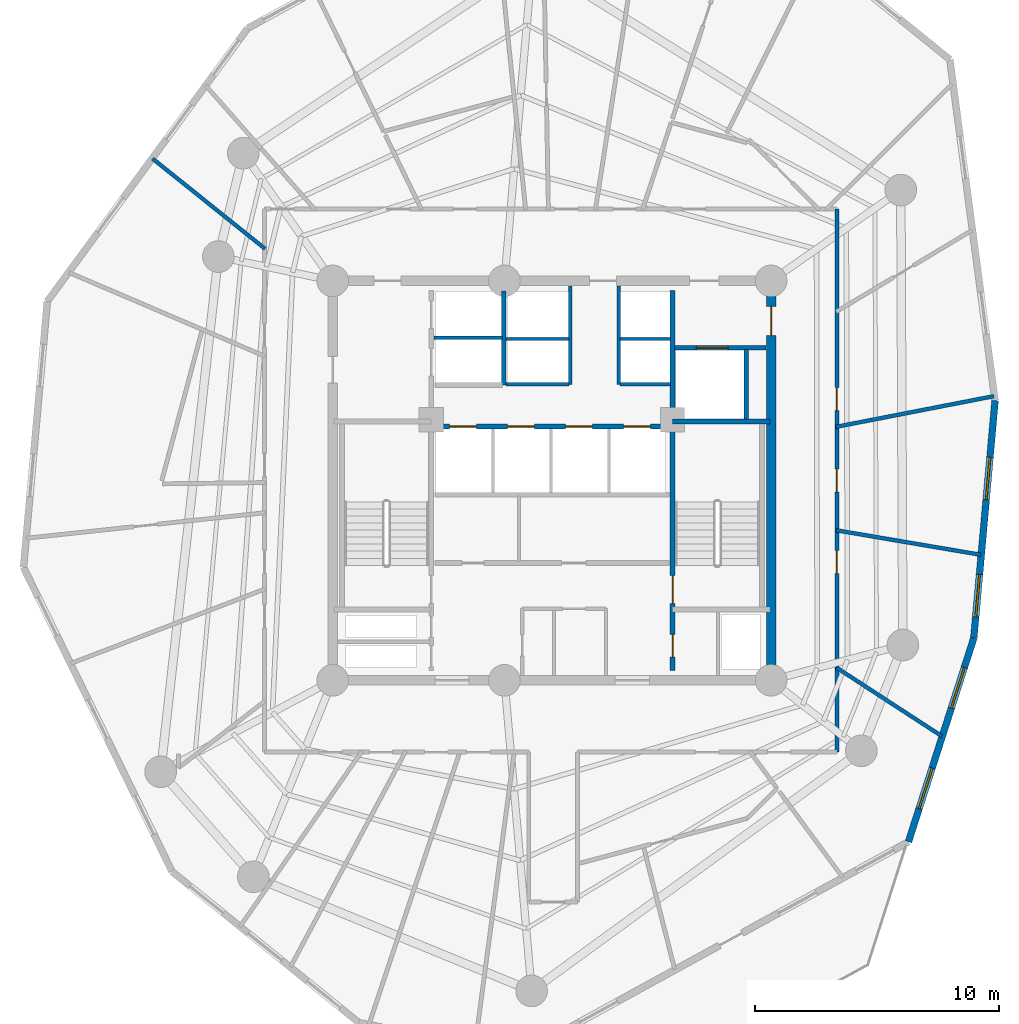
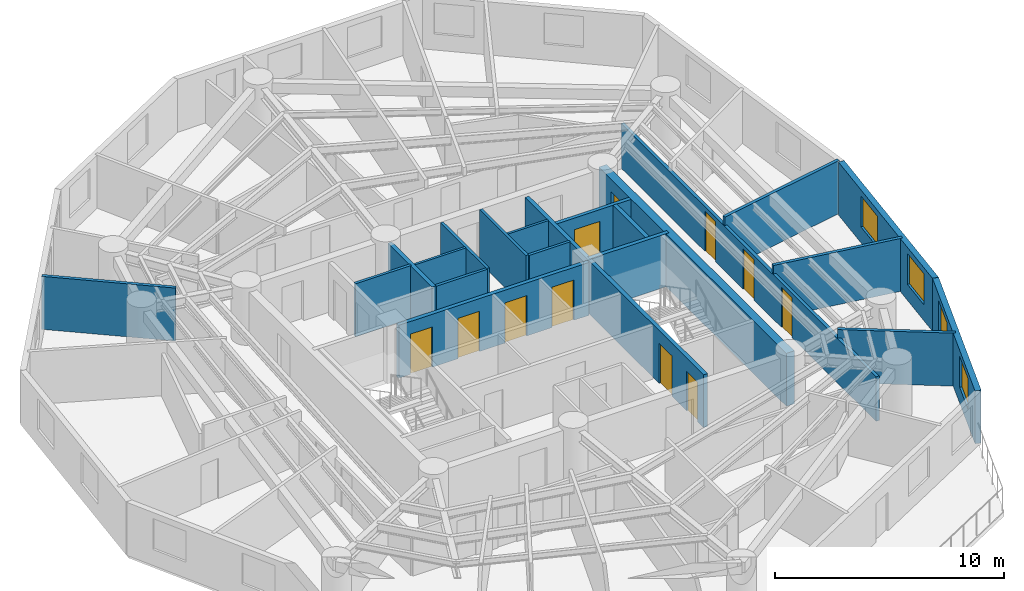
# One storey, part 5 of 8: 21 walls, 11 doors, 4 windows, 15 openings.
"""IFC4 building model written with IfcOpenShell, lengths in metres."""

from ifc_helpers import new_model, si_unit, direction, frame, frame_2d, origin, origin_with_axes, place, context, subcontext, project, spatial, rectangle, extrude, source, transform, mapped, material, layer, layer_set, type_object, element, fill, save


model = new_model("IFC4")

# Units and contexts
model_context = context("Model", 3, precision=1e-05, world=origin(), true_north=direction((0.0, 1.0)))
body_context = subcontext(model_context, "Body", "Model", "MODEL_VIEW")
ifc_project = project(units=[si_unit("LENGTHUNIT", "METRE"), si_unit("AREAUNIT", "SQUARE_METRE"), si_unit("VOLUMEUNIT", "CUBIC_METRE"), si_unit("PLANEANGLEUNIT", "RADIAN"), si_unit("MASSUNIT", "GRAM", prefix="KILO")], contexts=[model_context])

# Site, building, storey
site_placement = place(None, origin())
site = spatial("IfcSite", under=ifc_project, at=site_placement, CompositionType="ELEMENT")
building_placement = place(site_placement, origin())
building = spatial("IfcBuilding", under=site, at=building_placement, Name="Karkom Vertical University and Central Library", CompositionType="ELEMENT")
storey_placement = place(building_placement, frame((0.0, 0.0, 174.85009765625)))
storey = spatial("IfcBuildingStorey", under=building, at=storey_placement, Name="L50", CompositionType="ELEMENT", Elevation=174.85009765625)

# Wall, openings, windows
ifc_material_1 = material(Name="Brick-faced precast concrete C45/55", Category="masonry")
ifc_layer_1 = layer(ifc_material_1, 0.280029296875)
ifc_layer_set_1 = layer_set([ifc_layer_1], Name="Brick-faced precast concrete C45/55")
wall_type_1 = type_object("IfcWallType", Name="ENV-WL-BRK-280", PredefinedType="SOLIDWALL", material=ifc_layer_set_1)
wall_1_placement = place(storey_placement, frame((43.1416015625, 11.66943359375, 0.0), z_axis=(0.0, 0.0, 1.0), x_axis=(0.305307233787, 0.95225390154, 0.0)))
wall_1 = element("IfcWall", 1, at=wall_1_placement, inside=storey, type_object=wall_type_1, Name="Level 50 Brick-Faced Precast Facade Wall 05", PredefinedType="SOLIDWALL", context=body_context, shape_type="SweptSolid", body=[
    extrude(rectangle(XDim=8.78271484375, YDim=0.280029296875, at=frame_2d((4.391357421875, 0.0))), origin(), (0.0, 0.0, 1.0), 2.824951171875),
])
opening_1_placement = place(wall_1_placement, frame((1.433837890625, 0.0, 0.85009765625)))
opening_1 = element("IfcOpeningElement", 2, at=opening_1_placement, cuts=wall_1, Name="Opening WN-08", PredefinedType="OPENING", context=body_context, shape_type="SweptSolid", body=[
    extrude(rectangle(XDim=1.75, YDim=1.64990234375, at=frame_2d((0.875, 0.824951171875))), frame((0.0, 0.14990234375, 0.0), z_axis=(0.0, -1.0, 0.0), x_axis=(1.0, 0.0, 0.0)), (0.0, 0.0, 1.0), 0.300048828125),
])
opening_2_placement = place(wall_1_placement, frame((5.76513671875, 0.0, 0.85009765625)))
opening_2 = element("IfcOpeningElement", 3, at=opening_2_placement, cuts=wall_1, Name="Opening WN-08", PredefinedType="OPENING", context=body_context, shape_type="SweptSolid", body=[
    extrude(rectangle(XDim=1.75, YDim=1.64990234375, at=frame_2d((0.875, 0.824951171875))), frame((0.0, 0.14990234375, 0.0), z_axis=(0.0, -1.0, 0.0), x_axis=(1.0, 0.0, 0.0)), (0.0, 0.0, 1.0), 0.300048828125),
])
ifc_material_2 = material(Name="Aluminium thermal-break frame with solar-control IGU", Category="aluminium")
window_type = type_object("IfcWindowType", Name="ENV-WIN-WN-08", PartitioningType="SINGLE_PANEL", PredefinedType="WINDOW", material=ifc_material_2)
shared_shape_1 = source(origin_with_axes(), body_context, "Body", "SweptSolid", [
    extrude(rectangle(XDim=1.75, YDim=1.64990234375, at=frame_2d((0.875, 0.824951171875))), frame((0.0, 0.030029296875, 0.0), z_axis=(0.0, -1.0, 0.0), x_axis=(1.0, 0.0, 0.0)), (0.0, 0.0, 1.0), 0.06005859375),
])
window_1_placement = place(opening_1_placement, origin())
window_1 = element("IfcWindow", 4, at=window_1_placement, inside=storey, type_object=window_type, Name="Level 50 Punched Window 5.1", OverallHeight=1.64990234375, OverallWidth=1.75, PartitioningType="SINGLE_PANEL", PredefinedType="WINDOW", context=body_context, shape_type="MappedRepresentation", body=[
    mapped(shared_shape_1, transform((0.0, 0.0, 0.0), scale=1.0)),
])
fill(opening_1, window_1)
window_2_placement = place(opening_2_placement, origin())
window_2 = element("IfcWindow", 5, at=window_2_placement, inside=storey, type_object=window_type, Name="Level 50 Punched Window 5.2", OverallHeight=1.64990234375, OverallWidth=1.75, PartitioningType="SINGLE_PANEL", PredefinedType="WINDOW", context=body_context, shape_type="MappedRepresentation", body=[
    mapped(shared_shape_1, transform((0.0, 0.0, 0.0), scale=1.0)),
])
fill(opening_2, window_2)

wall_2_placement = place(storey_placement, frame((45.822998046875, 20.03271484375, 0.0), z_axis=(0.0, 0.0, 1.0), x_axis=(0.089242924974, 0.996009889681, 0.0)))
wall_2 = element("IfcWall", 6, at=wall_2_placement, inside=storey, type_object=wall_type_1, Name="Level 50 Brick-Faced Precast Facade Wall 06", PredefinedType="SOLIDWALL", context=body_context, shape_type="SweptSolid", body=[
    extrude(rectangle(XDim=9.791015625, YDim=0.280029296875, at=frame_2d((4.8955078125, 0.0))), origin(), (0.0, 0.0, 1.0), 2.824951171875),
])
opening_3_placement = place(wall_2_placement, frame((0.873046875, 0.0, 0.85009765625)))
opening_3 = element("IfcOpeningElement", 7, at=opening_3_placement, cuts=wall_2, Name="Opening WN-08", PredefinedType="OPENING", context=body_context, shape_type="SweptSolid", body=[
    extrude(rectangle(XDim=1.75, YDim=1.64990234375, at=frame_2d((0.875, 0.824951171875))), frame((0.0, 0.14990234375, 0.0), z_axis=(0.0, -1.0, 0.0), x_axis=(1.0, 0.0, 0.0)), (0.0, 0.0, 1.0), 0.300048828125),
])
opening_4_placement = place(wall_2_placement, frame((5.70849609375, 0.0, 0.85009765625)))
opening_4 = element("IfcOpeningElement", 8, at=opening_4_placement, cuts=wall_2, Name="Opening WN-08", PredefinedType="OPENING", context=body_context, shape_type="SweptSolid", body=[
    extrude(rectangle(XDim=1.75, YDim=1.64990234375, at=frame_2d((0.875, 0.824951171875))), frame((0.0, 0.14990234375, 0.0), z_axis=(0.0, -1.0, 0.0), x_axis=(1.0, 0.0, 0.0)), (0.0, 0.0, 1.0), 0.300048828125),
])
window_3_placement = place(opening_3_placement, origin())
window_3 = element("IfcWindow", 9, at=window_3_placement, inside=storey, type_object=window_type, Name="Level 50 Punched Window 6.1", OverallHeight=1.64990234375, OverallWidth=1.75, PartitioningType="SINGLE_PANEL", PredefinedType="WINDOW", context=body_context, shape_type="MappedRepresentation", body=[
    mapped(shared_shape_1, transform((0.0, 0.0, 0.0), scale=1.0)),
])
fill(opening_3, window_3)
window_4_placement = place(opening_4_placement, origin())
window_4 = element("IfcWindow", 10, at=window_4_placement, inside=storey, type_object=window_type, Name="Level 50 Punched Window 6.2", OverallHeight=1.64990234375, OverallWidth=1.75, PartitioningType="SINGLE_PANEL", PredefinedType="WINDOW", context=body_context, shape_type="MappedRepresentation", body=[
    mapped(shared_shape_1, transform((0.0, 0.0, 0.0), scale=1.0)),
])
fill(opening_4, window_4)

# Wall, openings, doors
ifc_material_3 = material(Name="Insulated metal-stud drywall 160mm", Category="gypsum")
ifc_layer_2 = layer(ifc_material_3, 0.159912109375)
ifc_layer_set_2 = layer_set([ifc_layer_2], Name="Insulated metal-stud drywall 160mm")
wall_type_2 = type_object("IfcWallType", Name="INT-WL-COR-160", PredefinedType="PARTITIONING", material=ifc_layer_set_2)
wall_3_placement = place(storey_placement, frame((40.199951171875, 37.64990234375, 0.0), z_axis=(0.0, 0.0, 1.0), x_axis=(0.0, -1.0, 0.0)))
wall_3 = element("IfcWall", 11, at=wall_3_placement, inside=storey, type_object=wall_type_2, Name="Level 50 Interior Partition Wall L50-CORW-CW-004", PredefinedType="PARTITIONING", context=body_context, shape_type="SweptSolid", body=[
    extrude(rectangle(XDim=22.2998046875, YDim=0.159912109375, at=frame_2d((11.14990234375, 0.0))), origin(), (0.0, 0.0, 1.0), 2.375),
])
opening_5_placement = place(wall_3_placement, frame((14.02001953125, 0.0, 0.0)))
opening_5 = element("IfcOpeningElement", 12, at=opening_5_placement, cuts=wall_3, Name="Opening D-RM1", PredefinedType="OPENING", context=body_context, shape_type="SweptSolid", body=[
    extrude(rectangle(XDim=0.949951171875, YDim=2.14990234375, at=frame_2d((0.47509765625, 1.074951171875))), frame((0.0, 0.08984375, 0.0), z_axis=(0.0, -1.0, 0.0), x_axis=(1.0, 0.0, 0.0)), (0.0, 0.0, 1.0), 0.179931640625),
])
opening_6_placement = place(wall_3_placement, frame((10.675048828125, 0.0, 0.0)))
opening_6 = element("IfcOpeningElement", 13, at=opening_6_placement, cuts=wall_3, Name="Opening D-RM1", PredefinedType="OPENING", context=body_context, shape_type="SweptSolid", body=[
    extrude(rectangle(XDim=0.949951171875, YDim=2.14990234375, at=frame_2d((0.47509765625, 1.074951171875))), frame((0.0, 0.08984375, 0.0), z_axis=(0.0, -1.0, 0.0), x_axis=(1.0, 0.0, 0.0)), (0.0, 0.0, 1.0), 0.179931640625),
])
opening_7_placement = place(wall_3_placement, frame((7.330078125, 0.0, 0.0)))
opening_7 = element("IfcOpeningElement", 14, at=opening_7_placement, cuts=wall_3, Name="Opening D-RM1", PredefinedType="OPENING", context=body_context, shape_type="SweptSolid", body=[
    extrude(rectangle(XDim=0.949951171875, YDim=2.14990234375, at=frame_2d((0.47509765625, 1.074951171875))), frame((0.0, 0.08984375, 0.0), z_axis=(0.0, -1.0, 0.0), x_axis=(1.0, 0.0, 0.0)), (0.0, 0.0, 1.0), 0.179931640625),
])
ifc_material_4 = material(Name="Solid-core oak veneer door", Category="wood")
door_type_1 = type_object("IfcDoorType", Name="INT-DR-RM1", OperationType="NOTDEFINED", PredefinedType="DOOR", material=ifc_material_4)
shared_shape_2 = source(origin_with_axes(), body_context, "Body", "SweptSolid", [
    extrude(rectangle(XDim=0.949951171875, YDim=2.14990234375, at=frame_2d((0.47509765625, 1.074951171875))), frame((0.0, 0.02490234375, 0.0), z_axis=(0.0, -1.0, 0.0), x_axis=(1.0, 0.0, 0.0)), (0.0, 0.0, 1.0), 0.050048828125),
])
door_1_placement = place(opening_5_placement, origin())
door_1 = element("IfcDoor", 15, at=door_1_placement, inside=storey, type_object=door_type_1, Name="Level 50 Room Entry Door 100", OperationType="SINGLE_SWING_LEFT", OverallHeight=2.14990234375, OverallWidth=0.949951171875, PredefinedType="DOOR", context=body_context, shape_type="MappedRepresentation", body=[
    mapped(shared_shape_2, transform((0.0, 0.0, 0.0), scale=1.0)),
])
fill(opening_5, door_1)
door_2_placement = place(opening_6_placement, origin())
door_2 = element("IfcDoor", 16, at=door_2_placement, inside=storey, type_object=door_type_1, Name="Level 50 Room Entry Door 110", OperationType="SINGLE_SWING_RIGHT", OverallHeight=2.14990234375, OverallWidth=0.949951171875, PredefinedType="DOOR", context=body_context, shape_type="MappedRepresentation", body=[
    mapped(shared_shape_2, transform((0.0, 0.0, 0.0), scale=1.0)),
])
fill(opening_6, door_2)
door_3_placement = place(opening_7_placement, origin())
door_3 = element("IfcDoor", 17, at=door_3_placement, inside=storey, type_object=door_type_1, Name="Level 50 Room Entry Door 120", OperationType="SINGLE_SWING_LEFT", OverallHeight=2.14990234375, OverallWidth=0.949951171875, PredefinedType="DOOR", context=body_context, shape_type="MappedRepresentation", body=[
    mapped(shared_shape_2, transform((0.0, 0.0, 0.0), scale=1.0)),
])
fill(opening_7, door_3)

# Walls
wall_4_placement = place(storey_placement, frame((40.156005859375, 28.70458984375, 0.0), z_axis=(0.0, 0.0, 1.0), x_axis=(0.981629797494, 0.190795546784, 0.0)))
element("IfcWall", 18, at=wall_4_placement, inside=storey, type_object=wall_type_2, Name="Level 50 Interior Partition Wall L50-PW-018", PredefinedType="PARTITIONING", context=body_context, shape_type="SweptSolid", body=[
    extrude(rectangle(XDim=6.613037109375, YDim=0.159912109375, at=frame_2d((3.306640625, 0.0))), origin(), (0.0, 0.0, 1.0), 2.824951171875),
])
wall_5_placement = place(storey_placement, frame((40.17041015625, 24.46044921875, 0.0), z_axis=(0.0, 0.0, 1.0), x_axis=(0.985928474101, -0.167167712066, 0.0)))
element("IfcWall", 19, at=wall_5_placement, inside=storey, type_object=wall_type_2, Name="Level 50 Interior Partition Wall L50-PW-017", PredefinedType="PARTITIONING", context=body_context, shape_type="SweptSolid", body=[
    extrude(rectangle(XDim=6.0185546875, YDim=0.159912109375, at=frame_2d((3.00927734375, 0.0))), origin(), (0.0, 0.0, 1.0), 2.824951171875),
])
wall_6_placement = place(storey_placement, frame((16.723388671875, 36.0166015625, 0.0), z_axis=(0.0, 0.0, 1.0), x_axis=(-0.780288897002, 0.625419249157, 0.0)))
element("IfcWall", 20, at=wall_6_placement, inside=storey, type_object=wall_type_2, Name="Level 50 Interior Partition Wall L50-PW-036", PredefinedType="PARTITIONING", context=body_context, shape_type="SweptSolid", body=[
    extrude(rectangle(XDim=5.91796875, YDim=0.159912109375, at=frame_2d((2.958984375, 0.0))), origin(), (0.0, 0.0, 1.0), 2.824951171875),
])
wall_7_placement = place(storey_placement, frame((40.1748046875, 18.827880859375, 0.0), z_axis=(0.0, 0.0, 1.0), x_axis=(0.838056877473, -0.545582871909, 0.0)))
element("IfcWall", 21, at=wall_7_placement, inside=storey, type_object=wall_type_2, Name="Level 50 Interior Partition Wall L50-PW-016", PredefinedType="PARTITIONING", context=body_context, shape_type="SweptSolid", body=[
    extrude(rectangle(XDim=5.166259765625, YDim=0.159912109375, at=frame_2d((2.5830078125, 0.0))), origin(), (0.0, 0.0, 1.0), 2.824951171875),
])
ifc_material_5 = material(Name="Moisture-resistant drywall 120mm", Category="gypsum")
ifc_layer_3 = layer(ifc_material_5, 0.1201171875)
ifc_layer_set_3 = layer_set([ifc_layer_3], Name="Moisture-resistant drywall 120mm")
wall_type_3 = type_object("IfcWallType", Name="INT-WL-INT-120H", PredefinedType="PARTITIONING", material=ifc_layer_set_3)
wall_8_placement = place(storey_placement, frame((26.6201171875, 32.320068359375, 0.0), z_axis=(0.0, 0.0, 1.0), x_axis=(1.0, 0.0, 0.0)))
element("IfcWall", 22, at=wall_8_placement, inside=storey, type_object=wall_type_3, Name="Level 50 Interior Partition Wall L50-CW-PH-MW", PredefinedType="PARTITIONING", context=body_context, shape_type="SweptSolid", body=[
    extrude(rectangle(XDim=2.579833984375, YDim=0.1201171875, at=frame_2d((1.2900390625, 0.0))), origin(), (0.0, 0.0, 1.0), 2.824951171875),
])
wall_9_placement = place(storey_placement, frame((31.300048828125, 32.320068359375, 0.0), z_axis=(0.0, 0.0, 1.0), x_axis=(1.0, 0.0, 0.0)))
element("IfcWall", 23, at=wall_9_placement, inside=storey, type_object=wall_type_3, Name="Level 50 Interior Partition Wall L50-CW-PH-ME", PredefinedType="PARTITIONING", context=body_context, shape_type="SweptSolid", body=[
    extrude(rectangle(XDim=2.074951171875, YDim=0.1201171875, at=frame_2d((1.03759765625, 0.0))), origin(), (0.0, 0.0, 1.0), 2.824951171875),
])
ifc_material_6 = material(Name="Metal-stud gypsum partition 140mm", Category="gypsum")
ifc_layer_4 = layer(ifc_material_6, 0.139892578125)
ifc_layer_set_4 = layer_set([ifc_layer_4], Name="Metal-stud gypsum partition 140mm")
wall_type_4 = type_object("IfcWallType", Name="INT-WL-SUB-140H", PredefinedType="PARTITIONING", material=ifc_layer_set_4)
for number, where, z_axis, x_axis, name in (
    (24, (29.260009765625, 30.449951171875, 0.0), (0.0, 0.0, 1.0), (0.0, 1.0, 0.0), "Level 50 Interior Partition Wall L50-CW-PH-W"),
    (25, (31.239990234375, 30.449951171875, 0.0), (0.0, 0.0, 1.0), (0.0, 1.0, 0.0), "Level 50 Interior Partition Wall L50-CW-PH-E"),
):
    element("IfcWall", number, at=place(storey_placement, frame(where, z_axis=z_axis, x_axis=x_axis)), inside=storey, type_object=wall_type_4, Name=name, PredefinedType="PARTITIONING", context=body_context, shape_type="SweptSolid", body=[
        extrude(rectangle(XDim=4.04296875, YDim=0.139892578125, at=frame_2d((2.021484375, 0.0))), origin(), (0.0, 0.0, 1.0), 2.824951171875),
    ])
wall_10_placement = place(storey_placement, frame((26.6201171875, 30.449951171875, 0.0), z_axis=(0.0, 0.0, 1.0), x_axis=(1.0, 0.0, 0.0)))
element("IfcWall", 26, at=wall_10_placement, inside=storey, type_object=wall_type_4, Name="Level 50 Interior Partition Wall L50-CW-PH-S1", PredefinedType="PARTITIONING", context=body_context, shape_type="SweptSolid", body=[
    extrude(rectangle(XDim=2.579833984375, YDim=0.139892578125, at=frame_2d((1.2900390625, 0.0))), origin(), (0.0, 0.0, 1.0), 2.824951171875),
])
wall_11_placement = place(storey_placement, frame((31.300048828125, 30.449951171875, 0.0), z_axis=(0.0, 0.0, 1.0), x_axis=(1.0, 0.0, 0.0)))
element("IfcWall", 27, at=wall_11_placement, inside=storey, type_object=wall_type_4, Name="Level 50 Interior Partition Wall L50-CW-PH-S2", PredefinedType="PARTITIONING", context=body_context, shape_type="SweptSolid", body=[
    extrude(rectangle(XDim=2.074951171875, YDim=0.139892578125, at=frame_2d((1.03759765625, 0.0))), origin(), (0.0, 0.0, 1.0), 2.824951171875),
])
ifc_layer_5 = layer(ifc_material_6, 0.139892578125)
ifc_layer_set_5 = layer_set([ifc_layer_5], Name="Metal-stud gypsum partition 140mm")
wall_type_5 = type_object("IfcWallType", Name="INT-WL-SUB-140X", PredefinedType="PARTITIONING", material=ifc_layer_set_5)
wall_12_placement = place(storey_placement, frame((23.652099609375, 32.3701171875, 0.0), z_axis=(0.0, 0.0, 1.0), x_axis=(1.0, 0.0, 0.0)))
element("IfcWall", 28, at=wall_12_placement, inside=storey, type_object=wall_type_5, Name="Level 50 Interior Partition Wall L50-CW-FFL-M", PredefinedType="PARTITIONING", context=body_context, shape_type="SweptSolid", body=[
    extrude(rectangle(XDim=2.827880859375, YDim=0.139892578125, at=frame_2d((1.4140625, 0.0))), origin(), (0.0, 0.0, 1.0), 2.824951171875),
])

# Wall, opening, door
ifc_material_7 = material(Name="Twin-stud acoustic drywall 180mm", Category="gypsum")
ifc_layer_6 = layer(ifc_material_7, 0.179931640625)
ifc_layer_set_6 = layer_set([ifc_layer_6], Name="Twin-stud acoustic drywall 180mm")
wall_type_6 = type_object("IfcWallType", Name="INT-WL-TEN-180F", PredefinedType="PARTITIONING", material=ifc_layer_set_6)
wall_13_placement = place(storey_placement, frame((33.534912109375, 31.949951171875, 0.0), z_axis=(0.0, 0.0, 1.0), x_axis=(1.0, 0.0, 0.0)))
wall_13 = element("IfcWall", 29, at=wall_13_placement, inside=storey, type_object=wall_type_6, Name="Level 50 Interior Partition Wall L50-CW-SVL-N", PredefinedType="PARTITIONING", context=body_context, shape_type="SweptSolid", body=[
    extrude(rectangle(XDim=3.7587890625, YDim=0.179931640625, at=frame_2d((1.87939453125, 0.0))), origin(), (0.0, 0.0, 1.0), 2.824951171875),
])
opening_8_placement = place(wall_13_placement, frame((0.89990234375, 0.0, 0.0)))
opening_8 = element("IfcOpeningElement", 30, at=opening_8_placement, cuts=wall_13, Name="Opening LD-SV1", PredefinedType="OPENING", context=body_context, shape_type="SweptSolid", body=[
    extrude(rectangle(XDim=1.300048828125, YDim=2.199951171875, at=frame_2d((0.64990234375, 1.10009765625))), frame((0.0, 0.10009765625, 0.0), z_axis=(0.0, -1.0, 0.0), x_axis=(1.0, 0.0, 0.0)), (0.0, 0.0, 1.0), 0.199951171875),
])
ifc_material_8 = material(Name="Brushed stainless-steel landing door", Category="steel")
door_type_2 = type_object("IfcDoorType", Name="INT-DR-LD-SV1", OperationType="SLIDING_TO_LEFT", PredefinedType="DOOR", material=ifc_material_8)
shared_shape_3 = source(origin_with_axes(), body_context, "Body", "SweptSolid", [
    extrude(rectangle(XDim=1.300048828125, YDim=2.199951171875, at=frame_2d((0.64990234375, 1.10009765625))), frame((0.0, 0.02490234375, 0.0), z_axis=(0.0, -1.0, 0.0), x_axis=(1.0, 0.0, 0.0)), (0.0, 0.0, 1.0), 0.050048828125),
])
door_4_placement = place(opening_8_placement, origin())
door_4 = element("IfcDoor", 31, at=door_4_placement, inside=storey, type_object=door_type_2, Name="Level 50 Service Lift Landing Door LD-SV1", OperationType="SLIDING_TO_LEFT", OverallHeight=2.199951171875, OverallWidth=1.300048828125, PredefinedType="DOOR", context=body_context, shape_type="MappedRepresentation", body=[
    mapped(shared_shape_3, transform((0.0, 0.0, 0.0), scale=1.0)),
])
fill(opening_8, door_4)

ifc_material_9 = material(Name="Concrete C50/60", Category="concrete")
ifc_layer_7 = layer(ifc_material_9, 0.39990234375)
ifc_layer_set_7 = layer_set([ifc_layer_7], Name="Concrete C50/60")
wall_type_7 = type_object("IfcWallType", Name="STR-WL-CW-400", PredefinedType="SHEAR", material=ifc_layer_set_7)
wall_14_placement = place(storey_placement, frame((37.5, 18.300048828125, 0.0), z_axis=(0.0, 0.0, 1.0), x_axis=(0.0, 1.0, 0.0)))
wall_14 = element("IfcWall", 32, at=wall_14_placement, inside=storey, type_object=wall_type_7, Name="Level 50 Central Core Shear Wall EW", PredefinedType="SHEAR", context=body_context, shape_type="SweptSolid", body=[
    extrude(rectangle(XDim=16.39990234375, YDim=0.39990234375, at=frame_2d((8.199951171875, 0.0))), origin(), (0.0, 0.0, 1.0), 2.824951171875),
])
opening_9_placement = place(wall_14_placement, frame((14.14990234375, 0.0, 0.0)))
opening_9 = element("IfcOpeningElement", 33, at=opening_9_placement, cuts=wall_14, Name="Opening FD-SUB1", PredefinedType="OPENING", context=body_context, shape_type="SweptSolid", body=[
    extrude(rectangle(XDim=1.199951171875, YDim=2.14990234375, at=frame_2d((0.60009765625, 1.074951171875))), frame((0.0, 0.2099609375, 0.0), z_axis=(0.0, -1.0, 0.0), x_axis=(1.0, 0.0, 0.0)), (0.0, 0.0, 1.0), 0.419921875),
])
ifc_material_10 = material(Name="Painted steel fire door", Category="steel")
door_type_3 = type_object("IfcDoorType", Name="INT-DR-SUB1", OperationType="NOTDEFINED", PredefinedType="DOOR", material=ifc_material_10)
shared_shape_4 = source(origin_with_axes(), body_context, "Body", "SweptSolid", [
    extrude(rectangle(XDim=1.199951171875, YDim=2.14990234375, at=frame_2d((0.60009765625, 1.074951171875))), frame((0.0, 0.02490234375, 0.0), z_axis=(0.0, -1.0, 0.0), x_axis=(1.0, 0.0, 0.0)), (0.0, 0.0, 1.0), 0.050048828125),
])
door_5_placement = place(opening_9_placement, origin())
door_5 = element("IfcDoor", 34, at=door_5_placement, inside=storey, type_object=door_type_3, Name="Level 50 East Corridor Service Lobby Door", OperationType="SINGLE_SWING_RIGHT", OverallHeight=2.14990234375, OverallWidth=1.199951171875, PredefinedType="DOOR", context=body_context, shape_type="MappedRepresentation", body=[
    mapped(shared_shape_4, transform((0.0, 0.0, 0.0), scale=1.0)),
])
fill(opening_9, door_5)

# Wall, openings, doors
ifc_material_11 = material(Name="Concrete C45/55", Category="concrete")
ifc_layer_8 = layer(ifc_material_11, 0.199951171875)
ifc_layer_set_8 = layer_set([ifc_layer_8], Name="Concrete C45/55")
wall_type_8 = type_object("IfcWallType", Name="STR-WL-ST-200", PredefinedType="SHEAR", material=ifc_layer_set_8)
wall_15_placement = place(storey_placement, frame((33.455078125, 18.699951171875, 0.0), z_axis=(0.0, 0.0, 1.0), x_axis=(0.0, 1.0, 0.0)))
wall_15 = element("IfcWall", 35, at=wall_15_placement, inside=storey, type_object=wall_type_8, Name="Level 50 Core Shaft Wall L50-CW-ST2-W", PredefinedType="SHEAR", context=body_context, shape_type="SweptSolid", body=[
    extrude(rectangle(XDim=15.60009765625, YDim=0.199951171875, at=frame_2d((7.800048828125, 0.0))), origin(), (0.0, 0.0, 1.0), 2.824951171875),
])
opening_10_placement = place(wall_15_placement, frame((2.75, 0.0, 0.0)))
opening_10 = element("IfcOpeningElement", 36, at=opening_10_placement, cuts=wall_15, Name="Opening FD-ST1", PredefinedType="OPENING", context=body_context, shape_type="SweptSolid", body=[
    extrude(rectangle(XDim=1.14990234375, YDim=2.14990234375, at=frame_2d((0.574951171875, 1.074951171875))), frame((0.0, 0.10986328125, 0.0), z_axis=(0.0, -1.0, 0.0), x_axis=(1.0, 0.0, 0.0)), (0.0, 0.0, 1.0), 0.219970703125),
])
opening_11_placement = place(wall_15_placement, frame((0.550048828125, 0.0, 0.0)))
opening_11 = element("IfcOpeningElement", 37, at=opening_11_placement, cuts=wall_15, Name="Opening D-WC1", PredefinedType="OPENING", context=body_context, shape_type="SweptSolid", body=[
    extrude(rectangle(XDim=0.93994140625, YDim=2.10009765625, at=frame_2d((0.469970703125, 1.050048828125))), frame((0.0, 0.10986328125, 0.0), z_axis=(0.0, -1.0, 0.0), x_axis=(1.0, 0.0, 0.0)), (0.0, 0.0, 1.0), 0.219970703125),
])
ifc_material_12 = material(Name="Painted steel acoustic fire door", Category="steel")
door_type_4 = type_object("IfcDoorType", Name="INT-DR-ST1", OperationType="NOTDEFINED", PredefinedType="DOOR", material=ifc_material_12)
shared_shape_5 = source(origin_with_axes(), body_context, "Body", "SweptSolid", [
    extrude(rectangle(XDim=1.14990234375, YDim=2.14990234375, at=frame_2d((0.574951171875, 1.074951171875))), frame((0.0, 0.02490234375, 0.0), z_axis=(0.0, -1.0, 0.0), x_axis=(1.0, 0.0, 0.0)), (0.0, 0.0, 1.0), 0.050048828125),
])
door_6_placement = place(opening_10_placement, origin())
door_6 = element("IfcDoor", 38, at=door_6_placement, inside=storey, type_object=door_type_4, Name="Level 50 Stair ST-2 Fire Door", OperationType="SINGLE_SWING_LEFT", OverallHeight=2.14990234375, OverallWidth=1.14990234375, PredefinedType="DOOR", context=body_context, shape_type="MappedRepresentation", body=[
    mapped(shared_shape_5, transform((0.0, 0.0, 0.0), scale=1.0)),
])
fill(opening_10, door_6)
ifc_material_13 = material(Name="Fire-rated laminate moisture-resistant door", Category="wood")
door_type_5 = type_object("IfcDoorType", Name="INT-DR-WC1", OperationType="NOTDEFINED", PredefinedType="DOOR", material=ifc_material_13)
shared_shape_6 = source(origin_with_axes(), body_context, "Body", "SweptSolid", [
    extrude(rectangle(XDim=0.93994140625, YDim=2.10009765625, at=frame_2d((0.469970703125, 1.050048828125))), frame((0.0, 0.02490234375, 0.0), z_axis=(0.0, -1.0, 0.0), x_axis=(1.0, 0.0, 0.0)), (0.0, 0.0, 1.0), 0.050048828125),
])
door_7_placement = place(opening_11_placement, origin())
door_7 = element("IfcDoor", 39, at=door_7_placement, inside=storey, type_object=door_type_5, Name="Level 50 Accessible WC Door", OperationType="SINGLE_SWING_RIGHT", OverallHeight=2.10009765625, OverallWidth=0.93994140625, PredefinedType="DOOR", context=body_context, shape_type="MappedRepresentation", body=[
    mapped(shared_shape_6, transform((0.0, 0.0, 0.0), scale=1.0)),
])
fill(opening_11, door_7)

wall_16_placement = place(storey_placement, frame((23.699951171875, 28.719970703125, 0.0), z_axis=(0.0, 0.0, 1.0), x_axis=(1.0, 0.0, 0.0)))
wall_16 = element("IfcWall", 40, at=wall_16_placement, inside=storey, type_object=wall_type_8, Name="Level 50 Core Shaft Wall L50-CW-B2-N", PredefinedType="SHEAR", context=body_context, shape_type="SweptSolid", body=[
    extrude(rectangle(XDim=9.60009765625, YDim=0.199951171875, at=frame_2d((4.800048828125, 0.0))), origin(), (0.0, 0.0, 1.0), 2.824951171875),
])
opening_12_placement = place(wall_16_placement, frame((0.60009765625, 0.0, 0.0)))
opening_12 = element("IfcOpeningElement", 41, at=opening_12_placement, cuts=wall_16, Name="Opening LD-PAX", PredefinedType="OPENING", context=body_context, shape_type="SweptSolid", body=[
    extrude(rectangle(XDim=1.10009765625, YDim=2.14990234375, at=frame_2d((0.550048828125, 1.074951171875))), frame((0.0, 0.10986328125, 0.0), z_axis=(0.0, -1.0, 0.0), x_axis=(1.0, 0.0, 0.0)), (0.0, 0.0, 1.0), 0.219970703125),
])
opening_13_placement = place(wall_16_placement, frame((2.97998046875, 0.0, 0.0)))
opening_13 = element("IfcOpeningElement", 42, at=opening_13_placement, cuts=wall_16, Name="Opening LD-PAX", PredefinedType="OPENING", context=body_context, shape_type="SweptSolid", body=[
    extrude(rectangle(XDim=1.10009765625, YDim=2.14990234375, at=frame_2d((0.550048828125, 1.074951171875))), frame((0.0, 0.10986328125, 0.0), z_axis=(0.0, -1.0, 0.0), x_axis=(1.0, 0.0, 0.0)), (0.0, 0.0, 1.0), 0.219970703125),
])
opening_14_placement = place(wall_16_placement, frame((5.360107421875, 0.0, 0.0)))
opening_14 = element("IfcOpeningElement", 43, at=opening_14_placement, cuts=wall_16, Name="Opening LD-PAX", PredefinedType="OPENING", context=body_context, shape_type="SweptSolid", body=[
    extrude(rectangle(XDim=1.10009765625, YDim=2.14990234375, at=frame_2d((0.550048828125, 1.074951171875))), frame((0.0, 0.10986328125, 0.0), z_axis=(0.0, -1.0, 0.0), x_axis=(1.0, 0.0, 0.0)), (0.0, 0.0, 1.0), 0.219970703125),
])
opening_15_placement = place(wall_16_placement, frame((7.739990234375, 0.0, 0.0)))
opening_15 = element("IfcOpeningElement", 44, at=opening_15_placement, cuts=wall_16, Name="Opening LD-PAX", PredefinedType="OPENING", context=body_context, shape_type="SweptSolid", body=[
    extrude(rectangle(XDim=1.10009765625, YDim=2.14990234375, at=frame_2d((0.550048828125, 1.074951171875))), frame((0.0, 0.10986328125, 0.0), z_axis=(0.0, -1.0, 0.0), x_axis=(1.0, 0.0, 0.0)), (0.0, 0.0, 1.0), 0.219970703125),
])
door_type_6 = type_object("IfcDoorType", Name="INT-DR-LD-PAX", OperationType="SLIDING_TO_LEFT", PredefinedType="DOOR", material=ifc_material_8)
shared_shape_7 = source(origin_with_axes(), body_context, "Body", "SweptSolid", [
    extrude(rectangle(XDim=1.10009765625, YDim=2.14990234375, at=frame_2d((0.550048828125, 1.074951171875))), frame((0.0, 0.02490234375, 0.0), z_axis=(0.0, -1.0, 0.0), x_axis=(1.0, 0.0, 0.0)), (0.0, 0.0, 1.0), 0.050048828125),
])
door_8_placement = place(opening_12_placement, origin())
door_8 = element("IfcDoor", 45, at=door_8_placement, inside=storey, type_object=door_type_6, Name="Level 50 Lift PM-1 Landing Door", OperationType="SLIDING_TO_LEFT", OverallHeight=2.14990234375, OverallWidth=1.10009765625, PredefinedType="DOOR", context=body_context, shape_type="MappedRepresentation", body=[
    mapped(shared_shape_7, transform((0.0, 0.0, 0.0), scale=1.0)),
])
fill(opening_12, door_8)
door_9_placement = place(opening_13_placement, origin())
door_9 = element("IfcDoor", 46, at=door_9_placement, inside=storey, type_object=door_type_6, Name="Level 50 Lift PM-2 Landing Door", OperationType="SLIDING_TO_RIGHT", OverallHeight=2.14990234375, OverallWidth=1.10009765625, PredefinedType="DOOR", context=body_context, shape_type="MappedRepresentation", body=[
    mapped(shared_shape_7, transform((0.0, 0.0, 0.0), scale=1.0)),
])
fill(opening_13, door_9)
door_10_placement = place(opening_14_placement, origin())
door_10 = element("IfcDoor", 47, at=door_10_placement, inside=storey, type_object=door_type_6, Name="Level 50 Lift PM-3 Landing Door", OperationType="SLIDING_TO_LEFT", OverallHeight=2.14990234375, OverallWidth=1.10009765625, PredefinedType="DOOR", context=body_context, shape_type="MappedRepresentation", body=[
    mapped(shared_shape_7, transform((0.0, 0.0, 0.0), scale=1.0)),
])
fill(opening_14, door_10)
door_11_placement = place(opening_15_placement, origin())
door_11 = element("IfcDoor", 48, at=door_11_placement, inside=storey, type_object=door_type_6, Name="Level 50 Lift PM-4 Landing Door", OperationType="SLIDING_TO_RIGHT", OverallHeight=2.14990234375, OverallWidth=1.10009765625, PredefinedType="DOOR", context=body_context, shape_type="MappedRepresentation", body=[
    mapped(shared_shape_7, transform((0.0, 0.0, 0.0), scale=1.0)),
])
fill(opening_15, door_11)

# Walls
wall_17_placement = place(storey_placement, frame((33.455078125, 28.925048828125, 0.0), z_axis=(0.0, 0.0, 1.0), x_axis=(1.0, 0.0, 0.0)))
element("IfcWall", 49, at=wall_17_placement, inside=storey, type_object=wall_type_8, Name="Level 50 Core Shaft Wall L50-CW-ST2-N", PredefinedType="SHEAR", context=body_context, shape_type="SweptSolid", body=[
    extrude(rectangle(XDim=3.994873046875, YDim=0.199951171875, at=frame_2d((1.99755859375, 0.0))), origin(), (0.0, 0.0, 1.0), 2.824951171875),
])
wall_18_placement = place(storey_placement, frame((26.52001953125, 30.419921875, 0.0), z_axis=(0.0, 0.0, 1.0), x_axis=(0.0, 1.0, 0.0)))
element("IfcWall", 50, at=wall_18_placement, inside=storey, type_object=wall_type_8, Name="Level 50 Core Shaft Wall L50-CW-FFL-E", PredefinedType="SHEAR", context=body_context, shape_type="SweptSolid", body=[
    extrude(rectangle(XDim=3.860107421875, YDim=0.199951171875, at=frame_2d((1.93017578125, 0.0))), origin(), (0.0, 0.0, 1.0), 2.824951171875),
])
wall_19_placement = place(storey_placement, frame((36.47998046875, 29.02001953125, 0.0), z_axis=(0.0, 0.0, 1.0), x_axis=(0.0, 1.0, 0.0)))
element("IfcWall", 51, at=wall_19_placement, inside=storey, type_object=wall_type_8, Name="Level 50 Core Shaft Wall L50-CW-SVL-E", PredefinedType="SHEAR", context=body_context, shape_type="SweptSolid", body=[
    extrude(rectangle(XDim=2.85986328125, YDim=0.199951171875, at=frame_2d((1.429931640625, 0.0))), origin(), (0.0, 0.0, 1.0), 2.824951171875),
])

save(model, "model.ifc")
